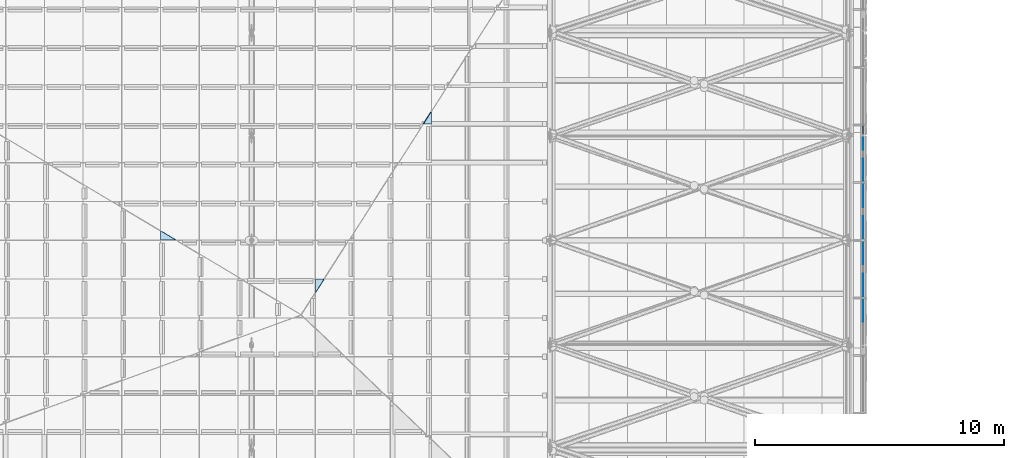
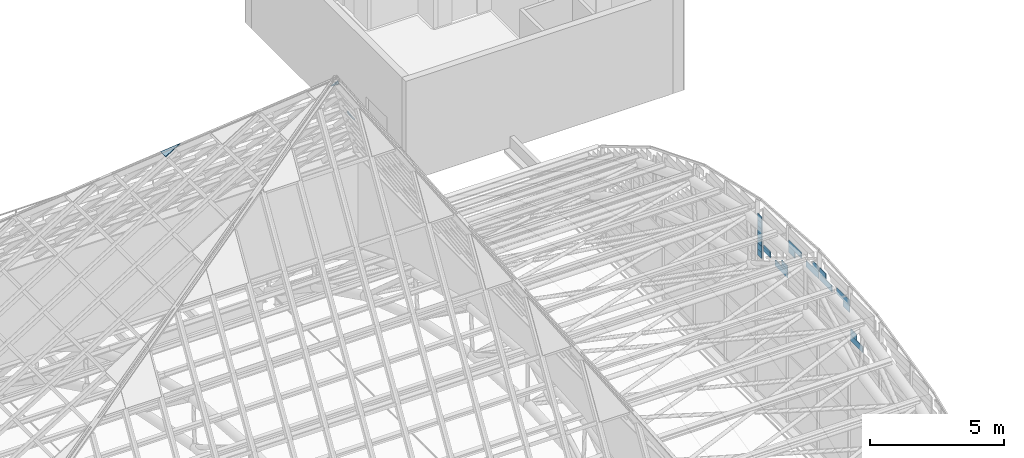
# One storey, part 78 of 110: 23 plates, 1 element without a shape of its own.
"""IFC4 building model written with IfcOpenShell, lengths in metres."""

from ifc_helpers import new_model, si_unit, direction, frame, origin, place, context, subcontext, project, spatial, polyline, outline, extrude, material, layer, layer_set, type_object, element, aggregate, save


model = new_model("IFC4")

# Units and contexts
model_context = context("Model", 3, precision=1e-05, world=origin(), true_north=direction((0.0, 1.0)))
body_context = subcontext(model_context, "Body", "Model", "MODEL_VIEW")
ifc_project = project(units=[si_unit("LENGTHUNIT", "METRE"), si_unit("AREAUNIT", "SQUARE_METRE"), si_unit("VOLUMEUNIT", "CUBIC_METRE"), si_unit("PLANEANGLEUNIT", "RADIAN"), si_unit("MASSUNIT", "GRAM", prefix="KILO")], contexts=[model_context])

# Site, building, storey
site_placement = place(None, origin())
site = spatial("IfcSite", under=ifc_project, at=site_placement, CompositionType="ELEMENT")
building_placement = place(site_placement, origin())
building = spatial("IfcBuilding", under=site, at=building_placement, Name="Windward Yard Aquatics Centre", CompositionType="ELEMENT")
storey_placement = place(building_placement, frame((0.0, 0.0, 22.60009765625)))
storey = spatial("IfcBuildingStorey", under=building, at=storey_placement, Name="L05", CompositionType="ELEMENT", Elevation=22.60009765625)

# Curtain wall, plates
ifc_material_1 = material(Name="Glass and aluminium curtain wall", Category="aluminium")
ifc_layer_1 = layer(ifc_material_1, 0.179931640625)
ifc_layer_set_1 = layer_set([ifc_layer_1], Name="H gable glazing system double glazed 8+16+8")
curtain_wall_type = type_object("IfcCurtainWallType", Name="H gable glazing system double glazed 8+16+8", PredefinedType="NOTDEFINED", material=ifc_layer_set_1)
curtain_wall_placement = place(storey_placement, origin())
curtain_wall = element("IfcCurtainWall", 1, at=curtain_wall_placement, inside=storey, type_object=curtain_wall_type, Name="Gable glazing E", PredefinedType="NOTDEFINED")
ifc_material_2 = material(Name="Low-iron glass", Category="glass")
ifc_layer_2 = layer(ifc_material_2, 0.008, Name="Outer pane")
ifc_material_3 = material(Name="Argon-filled cavity")
ifc_layer_3 = layer(ifc_material_3, 0.016, Name="Cavity")
ifc_layer_4 = layer(ifc_material_2, 0.008, Name="Inner pane")
ifc_layer_set_2 = layer_set([ifc_layer_2, ifc_layer_3, ifc_layer_4], Name="H gable glass low-e double glazed unit 32")
plate_type_1 = type_object("IfcPlateType", Name="H gable glass low-e double glazed unit 32", PredefinedType="CURTAIN_PANEL", material=ifc_layer_set_2)
plate_1_placement = place(storey_placement, frame((144.60595703125, 57.720703125, 6.525634765625), z_axis=(1.0, 0.0, 0.0), x_axis=(0.0, 1.0, 0.0)))
plate_1 = element("IfcPlate", 2, at=plate_1_placement, type_object=plate_type_1, Name="Gable panel 8.3b", PredefinedType="CURTAIN_PANEL", context=body_context, shape_type="SweptSolid", body=[
    extrude(outline(polyline([(0.0, 0.0), (0.92749, 0.0), (0.92749, 0.275146), (0.0, 0.275146), (0.0, 0.0)])), origin(), (0.0, 0.0, -1.0), 0.031982421875),
])
plate_2_placement = place(storey_placement, frame((144.60595703125, 58.184326171875, 6.80126953125), z_axis=(1.0, 0.0, 0.0), x_axis=(0.0, 1.0, 0.0)))
plate_2 = element("IfcPlate", 3, at=plate_2_placement, type_object=plate_type_1, Name="Gable panel 8.3c", PredefinedType="CURTAIN_PANEL", context=body_context, shape_type="SweptSolid", body=[
    extrude(outline(polyline([(0.0, 0.0), (0.463867, 0.0), (0.463867, 0.275146), (0.0, 0.275146), (0.0, 0.0)])), origin(), (0.0, 0.0, -1.0), 0.031982421875),
])
plate_3_placement = place(storey_placement, frame((144.60595703125, 60.039794921875, 7.904052734375), z_axis=(1.0, 0.0, 0.0), x_axis=(0.0, 1.0, 0.0)))
plate_3 = element("IfcPlate", 4, at=plate_3_placement, type_object=plate_type_1, Name="Gable panel 9.3g", PredefinedType="CURTAIN_PANEL", context=body_context, shape_type="SweptSolid", body=[
    extrude(outline(polyline([(0.0, 0.0), (0.927734, 0.0), (0.927734, 0.275391), (0.0, 0.275391), (0.0, 0.0)])), origin(), (0.0, 0.0, -1.0), 0.031982421875),
])
plate_4_placement = place(storey_placement, frame((144.60595703125, 60.50341796875, 8.1796875), z_axis=(1.0, 0.0, 0.0), x_axis=(0.0, 1.0, 0.0)))
plate_4 = element("IfcPlate", 5, at=plate_4_placement, type_object=plate_type_1, Name="Gable panel 9.3h", PredefinedType="CURTAIN_PANEL", context=body_context, shape_type="SweptSolid", body=[
    extrude(outline(polyline([(0.0, 0.0), (0.464111, 0.0), (0.464111, 0.275391), (0.0, 0.275391), (0.0, 0.0)])), origin(), (0.0, 0.0, -1.0), 0.031982421875),
])
plate_5_placement = place(storey_placement, frame((144.60595703125, 58.71337890625, 7.766845703125), z_axis=(1.0, 0.0, 0.0), x_axis=(0.0, 1.0, 0.0)))
plate_5 = element("IfcPlate", 6, at=plate_5_placement, type_object=plate_type_1, Name="Gable panel 9.3i", PredefinedType="CURTAIN_PANEL", context=body_context, shape_type="SweptSolid", body=[
    extrude(outline(polyline([(0.0, 0.0), (0.47583, 0.0), (0.47583, 0.282471), (0.0, 0.282471), (0.0, 0.0)])), origin(), (0.0, 0.0, -1.0), 0.031982421875),
])
plate_6_placement = place(storey_placement, frame((144.60595703125, 58.71337890625, 8.049560546875), z_axis=(1.0, 0.0, 0.0), x_axis=(0.0, 1.0, 0.0)))
plate_6 = element("IfcPlate", 7, at=plate_6_placement, type_object=plate_type_1, Name="Gable panel 9.3j", PredefinedType="CURTAIN_PANEL", context=body_context, shape_type="SweptSolid", body=[
    extrude(outline(polyline([(0.0, 0.0), (0.951416, 0.0), (0.951416, 0.282471), (0.0, 0.282471), (0.0, 0.0)])), origin(), (0.0, 0.0, -1.0), 0.031982421875),
])
plate_7_placement = place(storey_placement, frame((144.60595703125, 61.032470703125, 7.904052734375), z_axis=(1.0, 0.0, 0.0), x_axis=(0.0, 1.0, 0.0)))
plate_7 = element("IfcPlate", 8, at=plate_7_placement, type_object=plate_type_1, Name="Gable panel 10.3g", PredefinedType="CURTAIN_PANEL", context=body_context, shape_type="SweptSolid", body=[
    extrude(outline(polyline([(0.0, 0.0), (0.927734, 0.0), (0.927734, 0.275391), (0.0, 0.275391), (0.0, 0.0)])), origin(), (0.0, 0.0, -1.0), 0.031982421875),
])
plate_8_placement = place(storey_placement, frame((144.60595703125, 61.032470703125, 8.1796875), z_axis=(1.0, 0.0, 0.0), x_axis=(0.0, 1.0, 0.0)))
plate_8 = element("IfcPlate", 9, at=plate_8_placement, type_object=plate_type_1, Name="Gable panel 10.3h", PredefinedType="CURTAIN_PANEL", context=body_context, shape_type="SweptSolid", body=[
    extrude(outline(polyline([(0.0, 0.0), (0.464111, 0.0), (0.464111, 0.275391), (0.0, 0.275391), (0.0, 0.0)])), origin(), (0.0, 0.0, -1.0), 0.031982421875),
])
plate_9_placement = place(storey_placement, frame((144.60595703125, 62.810791015625, 7.766845703125), z_axis=(1.0, 0.0, 0.0), x_axis=(0.0, 1.0, 0.0)))
plate_9 = element("IfcPlate", 10, at=plate_9_placement, type_object=plate_type_1, Name="Gable panel 10.3i", PredefinedType="CURTAIN_PANEL", context=body_context, shape_type="SweptSolid", body=[
    extrude(outline(polyline([(0.0, 0.0), (0.47583, 0.0), (0.47583, 0.282471), (0.0, 0.282471), (0.0, 0.0)])), origin(), (0.0, 0.0, -1.0), 0.031982421875),
])
plate_10_placement = place(storey_placement, frame((144.60595703125, 62.335205078125, 8.049560546875), z_axis=(1.0, 0.0, 0.0), x_axis=(0.0, 1.0, 0.0)))
plate_10 = element("IfcPlate", 11, at=plate_10_placement, type_object=plate_type_1, Name="Gable panel 10.3j", PredefinedType="CURTAIN_PANEL", context=body_context, shape_type="SweptSolid", body=[
    extrude(outline(polyline([(0.0, 0.0), (0.951416, 0.0), (0.951416, 0.282471), (0.0, 0.282471), (0.0, 0.0)])), origin(), (0.0, 0.0, -1.0), 0.031982421875),
])
plate_11_placement = place(storey_placement, frame((144.60595703125, 65.29248046875, 6.25), z_axis=(1.0, 0.0, 0.0), x_axis=(0.0, 1.0, 0.0)))
plate_11 = element("IfcPlate", 12, at=plate_11_placement, type_object=plate_type_1, Name="Gable panel 11.3a", PredefinedType="CURTAIN_PANEL", context=body_context, shape_type="SweptSolid", body=[
    extrude(outline(polyline([(0.0, 0.0), (0.313477, 0.0), (0.313477, 0.268799), (0.0, 0.268799), (0.0, 0.0)])), origin(), (0.0, 0.0, -1.0), 0.031982421875),
])
plate_12_placement = place(storey_placement, frame((144.60595703125, 65.29248046875, 6.51904296875), z_axis=(1.0, 0.0, 0.0), x_axis=(0.0, 1.0, 0.0)))
plate_12 = element("IfcPlate", 13, at=plate_12_placement, type_object=plate_type_1, Name="Gable panel 11.3b", PredefinedType="CURTAIN_PANEL", context=body_context, shape_type="SweptSolid", body=[
    extrude(outline(polyline([(0.0, 0.0), (0.313477, 0.0), (0.313477, 0.268799), (0.0, 0.268799), (0.0, 0.0)])), origin(), (0.0, 0.0, -1.0), 0.031982421875),
])
plate_13_placement = place(storey_placement, frame((144.60595703125, 65.29248046875, 6.7880859375), z_axis=(1.0, 0.0, 0.0), x_axis=(0.0, 1.0, 0.0)))
plate_13 = element("IfcPlate", 14, at=plate_13_placement, type_object=plate_type_1, Name="Gable panel 11.3c", PredefinedType="CURTAIN_PANEL", context=body_context, shape_type="SweptSolid", body=[
    extrude(outline(polyline([(0.0, 0.0), (0.313477, 0.0), (0.313477, 0.268799), (0.0, 0.268799), (0.0, 0.0)])), origin(), (0.0, 0.0, -1.0), 0.031982421875),
])
plate_14_placement = place(storey_placement, frame((144.60595703125, 65.29248046875, 7.05712890625), z_axis=(1.0, 0.0, 0.0), x_axis=(0.0, 1.0, 0.0)))
plate_14 = element("IfcPlate", 15, at=plate_14_placement, type_object=plate_type_1, Name="Gable panel 11.3d", PredefinedType="CURTAIN_PANEL", context=body_context, shape_type="SweptSolid", body=[
    extrude(outline(polyline([(0.0, 0.0), (0.313477, 0.0), (0.313477, 0.268799), (0.0, 0.268799), (0.0, 0.0)])), origin(), (0.0, 0.0, -1.0), 0.031982421875),
])
plate_15_placement = place(storey_placement, frame((144.60595703125, 65.29248046875, 7.326171875), z_axis=(1.0, 0.0, 0.0), x_axis=(0.0, 1.0, 0.0)))
plate_15 = element("IfcPlate", 16, at=plate_15_placement, type_object=plate_type_1, Name="Gable panel 11.3e", PredefinedType="CURTAIN_PANEL", context=body_context, shape_type="SweptSolid", body=[
    extrude(outline(polyline([(0.0, 0.0), (0.313477, 0.0), (0.313477, 0.268799), (0.0, 0.268799), (0.0, 0.0)])), origin(), (0.0, 0.0, -1.0), 0.031982421875),
])
plate_16_placement = place(storey_placement, frame((144.60595703125, 65.29248046875, 7.59521484375), z_axis=(1.0, 0.0, 0.0), x_axis=(0.0, 1.0, 0.0)))
plate_16 = element("IfcPlate", 17, at=plate_16_placement, type_object=plate_type_1, Name="Gable panel 11.3f", PredefinedType="CURTAIN_PANEL", context=body_context, shape_type="SweptSolid", body=[
    extrude(outline(polyline([(0.0, 0.0), (0.313477, 0.0), (0.313477, 0.268799), (0.0, 0.268799), (0.0, 0.0)])), origin(), (0.0, 0.0, -1.0), 0.031982421875),
])
plate_17_placement = place(storey_placement, frame((144.60595703125, 65.29248046875, 7.8642578125), z_axis=(1.0, 0.0, 0.0), x_axis=(0.0, 1.0, 0.0)))
plate_17 = element("IfcPlate", 18, at=plate_17_placement, type_object=plate_type_1, Name="Gable panel 11.3g", PredefinedType="CURTAIN_PANEL", context=body_context, shape_type="SweptSolid", body=[
    extrude(outline(polyline([(0.0, 0.0), (0.313477, 0.0), (0.313477, 0.268799), (0.0, 0.268799), (0.0, 0.0)])), origin(), (0.0, 0.0, -1.0), 0.031982421875),
])
plate_18_placement = place(storey_placement, frame((144.60595703125, 63.351806640625, 6.525634765625), z_axis=(1.0, 0.0, 0.0), x_axis=(0.0, 1.0, 0.0)))
plate_18 = element("IfcPlate", 19, at=plate_18_placement, type_object=plate_type_1, Name="Gable panel 11.3q", PredefinedType="CURTAIN_PANEL", context=body_context, shape_type="SweptSolid", body=[
    extrude(outline(polyline([(0.0, 0.0), (0.92749, 0.0), (0.92749, 0.275146), (0.0, 0.275146), (0.0, 0.0)])), origin(), (0.0, 0.0, -1.0), 0.031982421875),
])
plate_19_placement = place(storey_placement, frame((144.60595703125, 63.351806640625, 6.80126953125), z_axis=(1.0, 0.0, 0.0), x_axis=(0.0, 1.0, 0.0)))
plate_19 = element("IfcPlate", 20, at=plate_19_placement, type_object=plate_type_1, Name="Gable panel 11.3r", PredefinedType="CURTAIN_PANEL", context=body_context, shape_type="SweptSolid", body=[
    extrude(outline(polyline([(0.0, 0.0), (0.463867, 0.0), (0.463867, 0.275146), (0.0, 0.275146), (0.0, 0.0)])), origin(), (0.0, 0.0, -1.0), 0.031982421875),
])
plate_20_placement = place(storey_placement, frame((144.60595703125, 64.64990234375, 6.673583984375), z_axis=(1.0, 0.0, 0.0), x_axis=(0.0, 1.0, 0.0)))
plate_20 = element("IfcPlate", 21, at=plate_20_placement, type_object=plate_type_1, Name="Gable panel 11.3s", PredefinedType="CURTAIN_PANEL", context=body_context, shape_type="SweptSolid", body=[
    extrude(outline(polyline([(0.0, 0.0), (0.490234, 0.0), (0.490234, 0.290771), (0.0, 0.290771), (0.0, 0.0)])), origin(), (0.0, 0.0, -1.0), 0.031982421875),
])
aggregate(curtain_wall, [plate_1, plate_2, plate_3, plate_4, plate_5, plate_6, plate_7, plate_8, plate_9, plate_10, plate_11, plate_12, plate_13, plate_14, plate_15, plate_16, plate_17, plate_18, plate_19, plate_20])

# Plates
ifc_material_4 = material(Name="Laminated low-e glass", Category="glass")
ifc_layer_5 = layer(ifc_material_4, 0.035888671875)
ifc_layer_set_3 = layer_set([ifc_layer_5], Name="H lantern glass laminated low-e 36")
plate_type_2 = type_object("IfcPlateType", Name="H lantern glass laminated low-e 36", PredefinedType="SHEET", material=ifc_layer_set_3)
plate_21_placement = place(storey_placement, frame((126.918212890625, 65.6875, 18.945556640625), z_axis=(0.850425023434, 0.0, 0.526096264497), x_axis=(0.406066646197, 0.635806412746, -0.656399332996)))
element("IfcPlate", 22, at=plate_21_placement, inside=storey, type_object=plate_type_2, Name="H.LN.G.02.012", PredefinedType="SHEET", context=body_context, shape_type="SweptSolid", body=[
    extrude(outline(polyline([(0.0, 0.0), (0.758756, 0.0), (0.452029, -0.372357), (0.0, 0.0)])), origin(), (0.0, 0.0, -1.0), 0.035888671875),
])
plate_22_placement = place(storey_placement, frame((122.56494140625, 58.89111328125, 25.9736328125), z_axis=(0.0, 0.718415810919, 0.695613917789), x_axis=(0.0, 0.695613917789, -0.718415810919)))
element("IfcPlate", 23, at=plate_22_placement, inside=storey, type_object=plate_type_2, Name="H.LN.G.03.107", PredefinedType="SHEET", context=body_context, shape_type="SweptSolid", body=[
    extrude(outline(polyline([(0.0, 0.0), (0.781613, 0.0), (0.781613, -0.347412), (0.0, 0.0)])), origin(), (0.0, 0.0, -1.0), 0.035888671875),
])
plate_23_placement = place(storey_placement, frame((116.3388671875, 61.00390625, 23.39697265625), z_axis=(-0.52554899943, 0.0, 0.850763333247), x_axis=(0.0, 1.0, 0.0)))
element("IfcPlate", 24, at=plate_23_placement, inside=storey, type_object=plate_type_2, Name="H.LN.G.04.105", PredefinedType="SHEET", context=body_context, shape_type="SweptSolid", body=[
    extrude(outline(polyline([(0.0, 0.0), (0.377197, 0.0), (0.0, -0.740948), (0.0, 0.0)])), origin(), (0.0, 0.0, -1.0), 0.035888671875),
])

save(model, "model.ifc")
